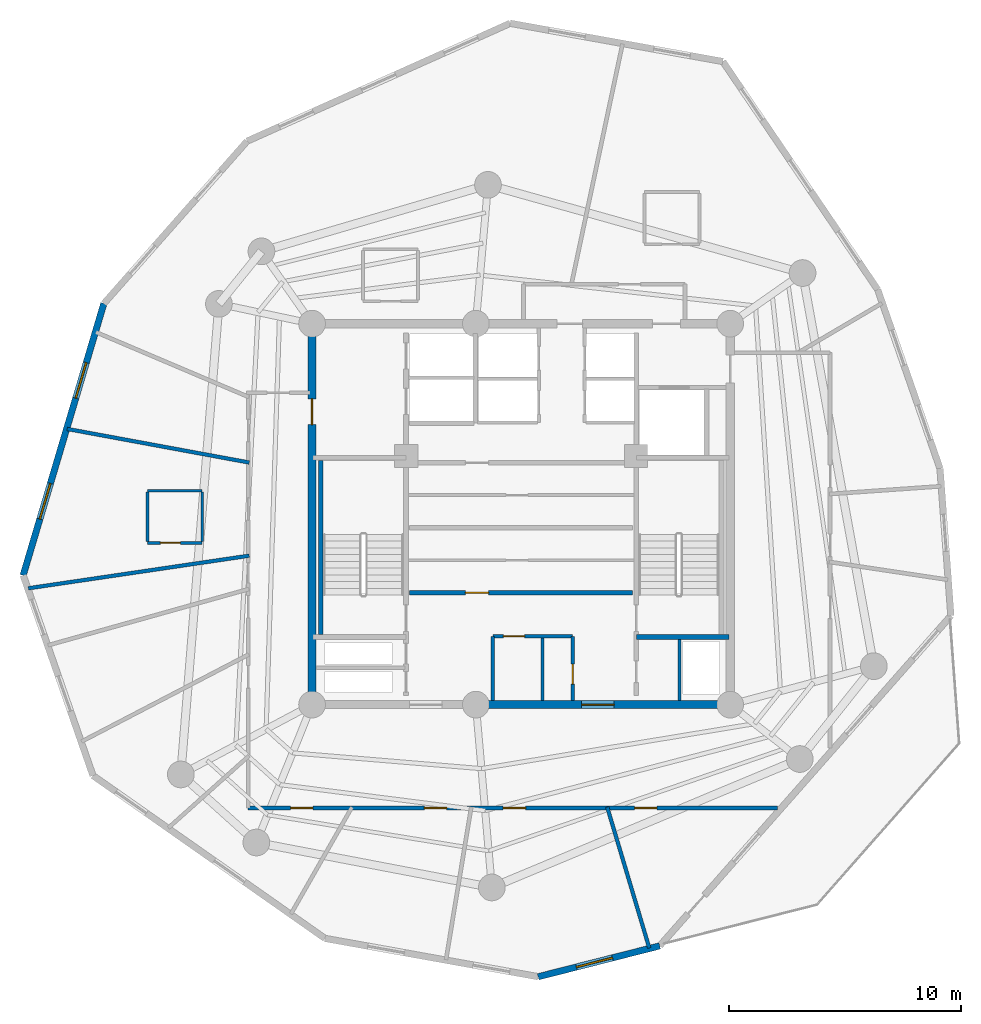
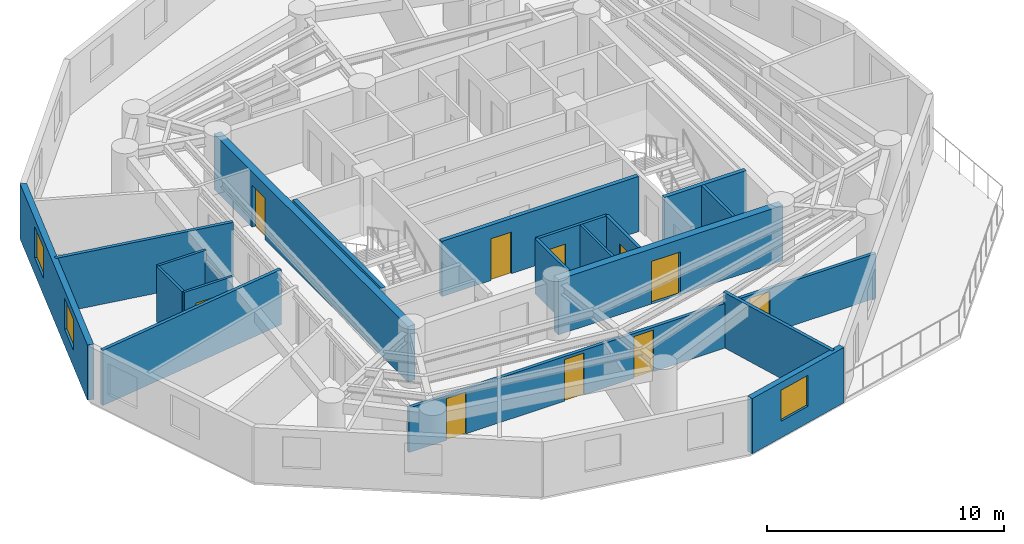
# One storey, part 3 of 7: 20 walls, 10 doors, 3 windows, 13 openings.
"""IFC4 building model written with IfcOpenShell, lengths in metres."""

from ifc_helpers import new_model, si_unit, direction, frame, frame_2d, origin, origin_with_axes, place, context, subcontext, project, spatial, rectangle, extrude, source, transform, mapped, material, layer, layer_set, type_object, element, fill, save


model = new_model("IFC4")

# Units and contexts
model_context = context("Model", 3, precision=1e-05, world=origin(), true_north=direction((0.0, 1.0)))
body_context = subcontext(model_context, "Body", "Model", "MODEL_VIEW")
ifc_project = project(units=[si_unit("LENGTHUNIT", "METRE"), si_unit("AREAUNIT", "SQUARE_METRE"), si_unit("VOLUMEUNIT", "CUBIC_METRE"), si_unit("PLANEANGLEUNIT", "RADIAN"), si_unit("MASSUNIT", "GRAM", prefix="KILO")], contexts=[model_context])

# Site, building, storey
site_placement = place(None, origin())
site = spatial("IfcSite", under=ifc_project, at=site_placement, CompositionType="ELEMENT")
building_placement = place(site_placement, origin())
building = spatial("IfcBuilding", under=site, at=building_placement, Name="Karkom Vertical University and Central Library", CompositionType="ELEMENT")
storey_placement = place(building_placement, frame((0.0, 0.0, 235.199951171875)))
storey = spatial("IfcBuildingStorey", under=building, at=storey_placement, Name="L69", CompositionType="ELEMENT", Elevation=235.199951171875)

# Wall, opening, window
ifc_material_1 = material(Name="Brick-faced precast concrete C45/55", Category="masonry")
ifc_layer_1 = layer(ifc_material_1, 0.280029296875)
ifc_layer_set_1 = layer_set([ifc_layer_1], Name="Brick-faced precast concrete C45/55")
wall_type_1 = type_object("IfcWallType", Name="ENV-WL-BRK-280", PredefinedType="SOLIDWALL", material=ifc_layer_set_1)
wall_1_placement = place(storey_placement, frame((29.231201171875, 6.584716796875, 0.0), z_axis=(0.0, 0.0, 1.0), x_axis=(0.969169811516, 0.246393742709, 0.0)))
wall_1 = element("IfcWall", 1, at=wall_1_placement, inside=storey, type_object=wall_type_1, Name="Level 69 Brick-Faced Precast Facade Wall 03", PredefinedType="SOLIDWALL", context=body_context, shape_type="SweptSolid", body=[
    extrude(rectangle(XDim=5.402099609375, YDim=0.280029296875, at=frame_2d((2.701171875, 0.0))), origin(), (0.0, 0.0, 1.0), 2.85009765625),
])
opening_1_placement = place(wall_1_placement, frame((1.700927734375, 0.0, 0.85009765625)))
opening_1 = element("IfcOpeningElement", 2, at=opening_1_placement, cuts=wall_1, Name="Opening WN-10", PredefinedType="OPENING", context=body_context, shape_type="SweptSolid", body=[
    extrude(rectangle(XDim=1.60009765625, YDim=1.60009765625, at=frame_2d((0.800048828125, 0.800048828125))), frame((0.0, 0.14990234375, 0.0), z_axis=(0.0, -1.0, 0.0), x_axis=(1.0, 0.0, 0.0)), (0.0, 0.0, 1.0), 0.300048828125),
])
ifc_material_2 = material(Name="Aluminium thermal-break frame with solar-control IGU", Category="aluminium")
window_type = type_object("IfcWindowType", Name="ENV-WIN-WN-10", PartitioningType="SINGLE_PANEL", PredefinedType="WINDOW", material=ifc_material_2)
shared_shape_1 = source(origin_with_axes(), body_context, "Body", "SweptSolid", [
    extrude(rectangle(XDim=1.60009765625, YDim=1.60009765625, at=frame_2d((0.800048828125, 0.800048828125))), frame((0.0, 0.030029296875, 0.0), z_axis=(0.0, -1.0, 0.0), x_axis=(1.0, 0.0, 0.0)), (0.0, 0.0, 1.0), 0.06005859375),
])
window_1_placement = place(opening_1_placement, origin())
window_1 = element("IfcWindow", 3, at=window_1_placement, inside=storey, type_object=window_type, Name="Level 69 Punched Window 3.1", OverallHeight=1.60009765625, OverallWidth=1.60009765625, PartitioningType="SINGLE_PANEL", PredefinedType="WINDOW", context=body_context, shape_type="MappedRepresentation", body=[
    mapped(shared_shape_1, transform((0.0, 0.0, 0.0), scale=1.0)),
])
fill(opening_1, window_1)

# Wall, openings, windows
wall_2_placement = place(storey_placement, frame((10.534912109375, 35.5693359375, 0.0), z_axis=(0.0, 0.0, 1.0), x_axis=(-0.284636486509, -0.958635525394, 0.0)))
wall_2 = element("IfcWall", 4, at=wall_2_placement, inside=storey, type_object=wall_type_1, Name="Level 69 Brick-Faced Precast Facade Wall 11", PredefinedType="SOLIDWALL", context=body_context, shape_type="SweptSolid", body=[
    extrude(rectangle(XDim=12.206298828125, YDim=0.280029296875, at=frame_2d((6.10302734375, 0.0))), origin(), (0.0, 0.0, 1.0), 2.85009765625),
])
opening_2_placement = place(wall_2_placement, frame((2.653076171875, 0.0, 0.85009765625)))
opening_2 = element("IfcOpeningElement", 5, at=opening_2_placement, cuts=wall_2, Name="Opening WN-10", PredefinedType="OPENING", context=body_context, shape_type="SweptSolid", body=[
    extrude(rectangle(XDim=1.60009765625, YDim=1.60009765625, at=frame_2d((0.800048828125, 0.800048828125))), frame((0.0, 0.14990234375, 0.0), z_axis=(0.0, -1.0, 0.0), x_axis=(1.0, 0.0, 0.0)), (0.0, 0.0, 1.0), 0.300048828125),
])
opening_3_placement = place(wall_2_placement, frame((8.084228515625, 0.0, 0.85009765625)))
opening_3 = element("IfcOpeningElement", 6, at=opening_3_placement, cuts=wall_2, Name="Opening WN-10", PredefinedType="OPENING", context=body_context, shape_type="SweptSolid", body=[
    extrude(rectangle(XDim=1.60009765625, YDim=1.60009765625, at=frame_2d((0.800048828125, 0.800048828125))), frame((0.0, 0.14990234375, 0.0), z_axis=(0.0, -1.0, 0.0), x_axis=(1.0, 0.0, 0.0)), (0.0, 0.0, 1.0), 0.300048828125),
])
window_2_placement = place(opening_2_placement, origin())
window_2 = element("IfcWindow", 7, at=window_2_placement, inside=storey, type_object=window_type, Name="Level 69 Punched Window 11.1", OverallHeight=1.60009765625, OverallWidth=1.60009765625, PartitioningType="SINGLE_PANEL", PredefinedType="WINDOW", context=body_context, shape_type="MappedRepresentation", body=[
    mapped(shared_shape_1, transform((0.0, 0.0, 0.0), scale=1.0)),
])
fill(opening_2, window_2)
window_3_placement = place(opening_3_placement, origin())
window_3 = element("IfcWindow", 8, at=window_3_placement, inside=storey, type_object=window_type, Name="Level 69 Punched Window 11.2", OverallHeight=1.60009765625, OverallWidth=1.60009765625, PartitioningType="SINGLE_PANEL", PredefinedType="WINDOW", context=body_context, shape_type="MappedRepresentation", body=[
    mapped(shared_shape_1, transform((0.0, 0.0, 0.0), scale=1.0)),
])
fill(opening_3, window_3)

# Wall, openings, doors
ifc_material_3 = material(Name="Insulated metal-stud drywall 160mm", Category="gypsum")
ifc_layer_2 = layer(ifc_material_3, 0.159912109375)
ifc_layer_set_2 = layer_set([ifc_layer_2], Name="Insulated metal-stud drywall 160mm")
wall_type_2 = type_object("IfcWallType", Name="INT-WL-COR-160", PredefinedType="PARTITIONING", material=ifc_layer_set_2)
wall_3_placement = place(storey_placement, frame((39.52978515625, 13.85009765625, 0.0), z_axis=(0.0, 0.0, 1.0), x_axis=(-1.0, 0.0, 0.0)))
wall_3 = element("IfcWall", 9, at=wall_3_placement, inside=storey, type_object=wall_type_2, Name="Level 69 Interior Partition Wall L69-CORW-CW-001", PredefinedType="PARTITIONING", context=body_context, shape_type="SweptSolid", body=[
    extrude(rectangle(XDim=22.77978515625, YDim=0.159912109375, at=frame_2d((11.389892578125, 0.0))), origin(), (0.0, 0.0, 1.0), 2.300048828125),
])
opening_4_placement = place(wall_3_placement, frame((19.995849609375, 0.0, 0.0)))
opening_4 = element("IfcOpeningElement", 10, at=opening_4_placement, cuts=wall_3, Name="Opening FD-RM2", PredefinedType="OPENING", context=body_context, shape_type="SweptSolid", body=[
    extrude(rectangle(XDim=0.9599609375, YDim=2.14990234375, at=frame_2d((0.47998046875, 1.074951171875))), frame((0.0, 0.08984375, 0.0), z_axis=(0.0, -1.0, 0.0), x_axis=(1.0, 0.0, 0.0)), (0.0, 0.0, 1.0), 0.179931640625),
])
opening_5_placement = place(wall_3_placement, frame((14.235595703125, 0.0, 0.0)))
opening_5 = element("IfcOpeningElement", 11, at=opening_5_placement, cuts=wall_3, Name="Opening FD-RM2", PredefinedType="OPENING", context=body_context, shape_type="SweptSolid", body=[
    extrude(rectangle(XDim=0.9599609375, YDim=2.14990234375, at=frame_2d((0.47998046875, 1.074951171875))), frame((0.0, 0.08984375, 0.0), z_axis=(0.0, -1.0, 0.0), x_axis=(1.0, 0.0, 0.0)), (0.0, 0.0, 1.0), 0.179931640625),
])
opening_6_placement = place(wall_3_placement, frame((10.8408203125, 0.0, 0.0)))
opening_6 = element("IfcOpeningElement", 12, at=opening_6_placement, cuts=wall_3, Name="Opening FD-RM2", PredefinedType="OPENING", context=body_context, shape_type="SweptSolid", body=[
    extrude(rectangle(XDim=0.9599609375, YDim=2.14990234375, at=frame_2d((0.47998046875, 1.074951171875))), frame((0.0, 0.08984375, 0.0), z_axis=(0.0, -1.0, 0.0), x_axis=(1.0, 0.0, 0.0)), (0.0, 0.0, 1.0), 0.179931640625),
])
opening_7_placement = place(wall_3_placement, frame((5.182861328125, 0.0, 0.0)))
opening_7 = element("IfcOpeningElement", 13, at=opening_7_placement, cuts=wall_3, Name="Opening FD-RM2", PredefinedType="OPENING", context=body_context, shape_type="SweptSolid", body=[
    extrude(rectangle(XDim=0.9599609375, YDim=2.14990234375, at=frame_2d((0.47998046875, 1.074951171875))), frame((0.0, 0.08984375, 0.0), z_axis=(0.0, -1.0, 0.0), x_axis=(1.0, 0.0, 0.0)), (0.0, 0.0, 1.0), 0.179931640625),
])
ifc_material_4 = material(Name="Fire-rated oak veneer door", Category="wood")
door_type_1 = type_object("IfcDoorType", Name="INT-DR-FRM2", OperationType="NOTDEFINED", PredefinedType="DOOR", material=ifc_material_4)
shared_shape_2 = source(origin_with_axes(), body_context, "Body", "SweptSolid", [
    extrude(rectangle(XDim=0.9599609375, YDim=2.14990234375, at=frame_2d((0.47998046875, 1.074951171875))), frame((0.0, 0.02490234375, 0.0), z_axis=(0.0, -1.0, 0.0), x_axis=(1.0, 0.0, 0.0)), (0.0, 0.0, 1.0), 0.050048828125),
])
door_1_placement = place(opening_4_placement, origin())
door_1 = element("IfcDoor", 14, at=door_1_placement, inside=storey, type_object=door_type_1, Name="Level 69 Room Entry Door 303", OperationType="SINGLE_SWING_LEFT", OverallHeight=2.14990234375, OverallWidth=0.9599609375, PredefinedType="DOOR", context=body_context, shape_type="MappedRepresentation", body=[
    mapped(shared_shape_2, transform((0.0, 0.0, 0.0), scale=1.0)),
])
fill(opening_4, door_1)
door_2_placement = place(opening_5_placement, origin())
door_2 = element("IfcDoor", 15, at=door_2_placement, inside=storey, type_object=door_type_1, Name="Level 69 Room Entry Door 304", OperationType="SINGLE_SWING_RIGHT", OverallHeight=2.14990234375, OverallWidth=0.9599609375, PredefinedType="DOOR", context=body_context, shape_type="MappedRepresentation", body=[
    mapped(shared_shape_2, transform((0.0, 0.0, 0.0), scale=1.0)),
])
fill(opening_5, door_2)
door_3_placement = place(opening_6_placement, origin())
door_3 = element("IfcDoor", 16, at=door_3_placement, inside=storey, type_object=door_type_1, Name="Level 69 Room Entry Door 305", OperationType="SINGLE_SWING_LEFT", OverallHeight=2.14990234375, OverallWidth=0.9599609375, PredefinedType="DOOR", context=body_context, shape_type="MappedRepresentation", body=[
    mapped(shared_shape_2, transform((0.0, 0.0, 0.0), scale=1.0)),
])
fill(opening_6, door_3)
door_4_placement = place(opening_7_placement, origin())
door_4 = element("IfcDoor", 17, at=door_4_placement, inside=storey, type_object=door_type_1, Name="Level 69 Room Entry Door 306", OperationType="SINGLE_SWING_RIGHT", OverallHeight=2.14990234375, OverallWidth=0.9599609375, PredefinedType="DOOR", context=body_context, shape_type="MappedRepresentation", body=[
    mapped(shared_shape_2, transform((0.0, 0.0, 0.0), scale=1.0)),
])
fill(opening_7, door_4)

# Walls
wall_4_placement = place(storey_placement, frame((7.282958984375, 23.30908203125, 0.0), z_axis=(0.0, 0.0, 1.0), x_axis=(0.989291084864, 0.145955984492, 0.0)))
element("IfcWall", 18, at=wall_4_placement, inside=storey, type_object=wall_type_2, Name="Level 69 Interior Partition Wall L69-PW-002", PredefinedType="PARTITIONING", context=body_context, shape_type="SweptSolid", body=[
    extrude(rectangle(XDim=9.61474609375, YDim=0.159912109375, at=frame_2d((4.807373046875, 0.0))), origin(), (0.0, 0.0, 1.0), 2.85009765625),
])
wall_5_placement = place(storey_placement, frame((16.794189453125, 28.72216796875, 0.0), z_axis=(0.0, 0.0, 1.0), x_axis=(-0.983386471677, 0.181524233432, 0.0)))
element("IfcWall", 19, at=wall_5_placement, inside=storey, type_object=wall_type_2, Name="Level 69 Interior Partition Wall L69-PW-013", PredefinedType="PARTITIONING", context=body_context, shape_type="SweptSolid", body=[
    extrude(rectangle(XDim=7.96875, YDim=0.159912109375, at=frame_2d((3.984375, 0.0))), origin(), (0.0, 0.0, 1.0), 2.85009765625),
])
wall_6_placement = place(storey_placement, frame((32.20361328125, 13.89306640625, 0.0), z_axis=(0.0, 0.0, 1.0), x_axis=(0.286236858114, -0.958158891341, 0.0)))
element("IfcWall", 20, at=wall_6_placement, inside=storey, type_object=wall_type_2, Name="Level 69 Interior Partition Wall L69-PW-007", PredefinedType="PARTITIONING", context=body_context, shape_type="SweptSolid", body=[
    extrude(rectangle(XDim=6.331298828125, YDim=0.159912109375, at=frame_2d((3.16552734375, 0.0))), origin(), (0.0, 0.0, 1.0), 2.85009765625),
])
ifc_material_5 = material(Name="Moisture-resistant drywall 120mm", Category="gypsum")
ifc_layer_3 = layer(ifc_material_5, 0.1201171875)
ifc_layer_set_3 = layer_set([ifc_layer_3], Name="Moisture-resistant drywall 120mm")
wall_type_3 = type_object("IfcWallType", Name="INT-WL-INT-120", PredefinedType="PARTITIONING", material=ifc_layer_set_3)
wall_7_placement = place(storey_placement, frame((29.419921875, 18.48193359375, 0.0), z_axis=(0.0, 0.0, 1.0), x_axis=(0.0, 1.0, 0.0)))
element("IfcWall", 21, at=wall_7_placement, inside=storey, type_object=wall_type_3, Name="Level 69 Interior Partition Wall L69-CW-K3-DIV", PredefinedType="PARTITIONING", context=body_context, shape_type="SweptSolid", body=[
    extrude(rectangle(XDim=2.687255859375, YDim=0.1201171875, at=frame_2d((1.34375, 0.0))), origin(), (0.0, 0.0, 1.0), 2.85009765625),
])

# Wall, opening, door
ifc_layer_4 = layer(ifc_material_5, 0.1201171875)
ifc_layer_set_4 = layer_set([ifc_layer_4], Name="Moisture-resistant drywall 120mm")
wall_type_4 = type_object("IfcWallType", Name="INT-WL-INT-120F", PredefinedType="PARTITIONING", material=ifc_layer_set_4)
wall_8_placement = place(storey_placement, frame((12.410888671875, 25.263916015625, 0.0), z_axis=(0.0, 0.0, 1.0), x_axis=(1.0, 0.0, 0.0)))
wall_8 = element("IfcWall", 22, at=wall_8_placement, inside=storey, type_object=wall_type_4, Name="Level 69 Interior Partition Wall L69-ENS-53-S", PredefinedType="PARTITIONING", context=body_context, shape_type="SweptSolid", body=[
    extrude(rectangle(XDim=2.360107421875, YDim=0.1201171875, at=frame_2d((1.18017578125, 0.0))), origin(), (0.0, 0.0, 1.0), 2.85009765625),
])
opening_8_placement = place(wall_8_placement, frame((0.56005859375, 0.0, 0.0)))
opening_8 = element("IfcOpeningElement", 23, at=opening_8_placement, cuts=wall_8, Name="Opening D-BATH", PredefinedType="OPENING", context=body_context, shape_type="SweptSolid", body=[
    extrude(rectangle(XDim=0.860107421875, YDim=2.10009765625, at=frame_2d((0.43017578125, 1.050048828125))), frame((0.0, 0.070068359375, 0.0), z_axis=(0.0, -1.0, 0.0), x_axis=(1.0, 0.0, 0.0)), (0.0, 0.0, 1.0), 0.14013671875),
])
ifc_material_6 = material(Name="Moisture-resistant oak door", Category="wood")
door_type_2 = type_object("IfcDoorType", Name="INT-DR-BATH", OperationType="NOTDEFINED", PredefinedType="DOOR", material=ifc_material_6)
shared_shape_3 = source(origin_with_axes(), body_context, "Body", "SweptSolid", [
    extrude(rectangle(XDim=0.860107421875, YDim=2.10009765625, at=frame_2d((0.43017578125, 1.050048828125))), frame((0.0, 0.02490234375, 0.0), z_axis=(0.0, -1.0, 0.0), x_axis=(1.0, 0.0, 0.0)), (0.0, 0.0, 1.0), 0.050048828125),
])
door_5_placement = place(opening_8_placement, origin())
door_5 = element("IfcDoor", 24, at=door_5_placement, inside=storey, type_object=door_type_2, Name="Level 69 En-Suite Bathroom Door 53", OperationType="SINGLE_SWING_RIGHT", OverallHeight=2.10009765625, OverallWidth=0.860107421875, PredefinedType="DOOR", context=body_context, shape_type="MappedRepresentation", body=[
    mapped(shared_shape_3, transform((0.0, 0.0, 0.0), scale=1.0)),
])
fill(opening_8, door_5)

# Walls
wall_9_placement = place(storey_placement, frame((14.77099609375, 27.50390625, 0.0), z_axis=(0.0, 0.0, 1.0), x_axis=(-1.0, 0.0, 0.0)))
element("IfcWall", 25, at=wall_9_placement, inside=storey, type_object=wall_type_4, Name="Level 69 Interior Partition Wall L69-ENS-53-N", PredefinedType="PARTITIONING", context=body_context, shape_type="SweptSolid", body=[
    extrude(rectangle(XDim=2.360107421875, YDim=0.1201171875, at=frame_2d((1.18017578125, 0.0))), origin(), (0.0, 0.0, 1.0), 2.85009765625),
])
wall_10_placement = place(storey_placement, frame((14.77099609375, 25.31396484375, 0.0), z_axis=(0.0, 0.0, 1.0), x_axis=(0.0, 1.0, 0.0)))
element("IfcWall", 26, at=wall_10_placement, inside=storey, type_object=wall_type_4, Name="Level 69 Interior Partition Wall L69-ENS-53-E", PredefinedType="PARTITIONING", context=body_context, shape_type="SweptSolid", body=[
    extrude(rectangle(XDim=2.14013671875, YDim=0.1201171875, at=frame_2d((1.070068359375, 0.0))), origin(), (0.0, 0.0, 1.0), 2.300048828125),
])
wall_11_placement = place(storey_placement, frame((12.410888671875, 27.4541015625, 0.0), z_axis=(0.0, 0.0, 1.0), x_axis=(0.0, -1.0, 0.0)))
element("IfcWall", 27, at=wall_11_placement, inside=storey, type_object=wall_type_4, Name="Level 69 Interior Partition Wall L69-ENS-53-W", PredefinedType="PARTITIONING", context=body_context, shape_type="SweptSolid", body=[
    extrude(rectangle(XDim=2.14013671875, YDim=0.1201171875, at=frame_2d((1.070068359375, 0.0))), origin(), (0.0, 0.0, 1.0), 2.85009765625),
])

# Wall, opening, door
ifc_material_7 = material(Name="Metal-stud gypsum partition 140mm", Category="gypsum")
ifc_layer_5 = layer(ifc_material_7, 0.139892578125)
ifc_layer_set_5 = layer_set([ifc_layer_5], Name="Metal-stud gypsum partition 140mm")
wall_type_5 = type_object("IfcWallType", Name="INT-WL-SUB-140", PredefinedType="PARTITIONING", material=ifc_layer_set_5)
wall_12_placement = place(storey_placement, frame((27.280029296875, 21.239990234375, 0.0), z_axis=(0.0, 0.0, 1.0), x_axis=(1.0, 0.0, 0.0)))
wall_12 = element("IfcWall", 28, at=wall_12_placement, inside=storey, type_object=wall_type_5, Name="Level 69 Interior Partition Wall L69-CW-KBAY-N", PredefinedType="PARTITIONING", context=body_context, shape_type="SweptSolid", body=[
    extrude(rectangle(XDim=3.43994140625, YDim=0.139892578125, at=frame_2d((1.719970703125, 0.0))), origin(), (0.0, 0.0, 1.0), 2.85009765625),
])
opening_9_placement = place(wall_12_placement, frame((0.449951171875, 0.0, 0.0)))
opening_9 = element("IfcOpeningElement", 29, at=opening_9_placement, cuts=wall_12, Name="Opening D-SVC1", PredefinedType="OPENING", context=body_context, shape_type="SweptSolid", body=[
    extrude(rectangle(XDim=0.919921875, YDim=2.10009765625, at=frame_2d((0.4599609375, 1.050048828125))), frame((0.0, 0.080078125, 0.0), z_axis=(0.0, -1.0, 0.0), x_axis=(1.0, 0.0, 0.0)), (0.0, 0.0, 1.0), 0.159912109375),
])
ifc_material_8 = material(Name="Painted timber service door", Category="wood")
door_type_3 = type_object("IfcDoorType", Name="INT-DR-SVC1", OperationType="NOTDEFINED", PredefinedType="DOOR", material=ifc_material_8)
shared_shape_4 = source(origin_with_axes(), body_context, "Body", "SweptSolid", [
    extrude(rectangle(XDim=0.919921875, YDim=2.10009765625, at=frame_2d((0.4599609375, 1.050048828125))), frame((0.0, 0.02490234375, 0.0), z_axis=(0.0, -1.0, 0.0), x_axis=(1.0, 0.0, 0.0)), (0.0, 0.0, 1.0), 0.050048828125),
])
door_6_placement = place(opening_9_placement, origin())
door_6 = element("IfcDoor", 30, at=door_6_placement, inside=storey, type_object=door_type_3, Name="Level 69 Copy Room Door", OperationType="SINGLE_SWING_LEFT", OverallHeight=2.10009765625, OverallWidth=0.919921875, PredefinedType="DOOR", context=body_context, shape_type="MappedRepresentation", body=[
    mapped(shared_shape_4, transform((0.0, 0.0, 0.0), scale=1.0)),
])
fill(opening_9, door_6)

# Wall
wall_13_placement = place(storey_placement, frame((27.280029296875, 18.48193359375, 0.0), z_axis=(0.0, 0.0, 1.0), x_axis=(0.0, 1.0, 0.0)))
element("IfcWall", 31, at=wall_13_placement, inside=storey, type_object=wall_type_5, Name="Level 69 Interior Partition Wall L69-CW-KBAY-W", PredefinedType="PARTITIONING", context=body_context, shape_type="SweptSolid", body=[
    extrude(rectangle(XDim=2.758056640625, YDim=0.139892578125, at=frame_2d((1.37890625, 0.0))), origin(), (0.0, 0.0, 1.0), 2.85009765625),
])

# Wall, opening, door
wall_14_placement = place(storey_placement, frame((30.719970703125, 18.48193359375, 0.0), z_axis=(0.0, 0.0, 1.0), x_axis=(0.0, 1.0, 0.0)))
wall_14 = element("IfcWall", 32, at=wall_14_placement, inside=storey, type_object=wall_type_5, Name="Level 69 Interior Partition Wall L69-CW-KBAY-E", PredefinedType="PARTITIONING", context=body_context, shape_type="SweptSolid", body=[
    extrude(rectangle(XDim=2.758056640625, YDim=0.139892578125, at=frame_2d((1.37890625, 0.0))), origin(), (0.0, 0.0, 1.0), 2.85009765625),
])
opening_10_placement = place(wall_14_placement, frame((0.699951171875, 0.0, 0.0)))
opening_10 = element("IfcOpeningElement", 33, at=opening_10_placement, cuts=wall_14, Name="Opening D-BATH", PredefinedType="OPENING", context=body_context, shape_type="SweptSolid", body=[
    extrude(rectangle(XDim=0.860107421875, YDim=2.10009765625, at=frame_2d((0.43017578125, 1.050048828125))), frame((0.0, 0.080078125, 0.0), z_axis=(0.0, -1.0, 0.0), x_axis=(1.0, 0.0, 0.0)), (0.0, 0.0, 1.0), 0.159912109375),
])
door_7_placement = place(opening_10_placement, origin())
door_7 = element("IfcDoor", 34, at=door_7_placement, inside=storey, type_object=door_type_2, Name="Level 69 Janitor Door", OperationType="SINGLE_SWING_RIGHT", OverallHeight=2.10009765625, OverallWidth=0.860107421875, PredefinedType="DOOR", context=body_context, shape_type="MappedRepresentation", body=[
    mapped(shared_shape_3, transform((0.0, 0.0, 0.0), scale=1.0)),
])
fill(opening_10, door_7)

# Wall
ifc_layer_6 = layer(ifc_material_7, 0.139892578125)
ifc_layer_set_6 = layer_set([ifc_layer_6], Name="Metal-stud gypsum partition 140mm")
wall_type_6 = type_object("IfcWallType", Name="INT-WL-SUB-140H", PredefinedType="PARTITIONING", material=ifc_layer_set_6)
wall_15_placement = place(storey_placement, frame((35.320068359375, 18.48193359375, 0.0), z_axis=(0.0, 0.0, 1.0), x_axis=(0.0, 1.0, 0.0)))
element("IfcWall", 35, at=wall_15_placement, inside=storey, type_object=wall_type_6, Name="Level 69 Interior Partition Wall L69-CW-RIS-E", PredefinedType="PARTITIONING", context=body_context, shape_type="SweptSolid", body=[
    extrude(rectangle(XDim=2.629150390625, YDim=0.139892578125, at=frame_2d((1.314453125, 0.0))), origin(), (0.0, 0.0, 1.0), 2.85009765625),
])

# Wall, opening, door
ifc_material_9 = material(Name="Concrete C45/55", Category="concrete")
ifc_layer_7 = layer(ifc_material_9, 0.35009765625)
ifc_layer_set_7 = layer_set([ifc_layer_7], Name="Concrete C45/55")
wall_type_7 = type_object("IfcWallType", Name="STR-WL-CW-350", PredefinedType="SHEAR", material=ifc_layer_set_7)
wall_16_placement = place(storey_placement, frame((26.550048828125, 18.300048828125, 0.0), z_axis=(0.0, 0.0, 1.0), x_axis=(1.0, 0.0, 0.0)))
wall_16 = element("IfcWall", 36, at=wall_16_placement, inside=storey, type_object=wall_type_7, Name="Level 69 Central Core Shear Wall SW2", PredefinedType="SHEAR", context=body_context, shape_type="SweptSolid", body=[
    extrude(rectangle(XDim=10.949951171875, YDim=0.35009765625, at=frame_2d((5.47509765625, 0.0))), origin(), (0.0, 0.0, 1.0), 2.85009765625),
])
opening_11_placement = place(wall_16_placement, frame((4.550048828125, 0.0, 0.0)))
opening_11 = element("IfcOpeningElement", 37, at=opening_11_placement, cuts=wall_16, Name="Opening FD-CLB", PredefinedType="OPENING", context=body_context, shape_type="SweptSolid", body=[
    extrude(rectangle(XDim=1.39990234375, YDim=2.199951171875, at=frame_2d((0.699951171875, 1.10009765625))), frame((0.0, 0.18505859375, 0.0), z_axis=(0.0, -1.0, 0.0), x_axis=(1.0, 0.0, 0.0)), (0.0, 0.0, 1.0), 0.3701171875),
])
ifc_material_10 = material(Name="Painted steel fire door", Category="steel")
door_type_4 = type_object("IfcDoorType", Name="INT-DR-CLB", OperationType="DOUBLE_DOOR_SINGLE_SWING", PredefinedType="DOOR", material=ifc_material_10)
shared_shape_5 = source(origin_with_axes(), body_context, "Body", "SweptSolid", [
    extrude(rectangle(XDim=1.39990234375, YDim=2.199951171875, at=frame_2d((0.699951171875, 1.10009765625))), frame((0.0, 0.02490234375, 0.0), z_axis=(0.0, -1.0, 0.0), x_axis=(1.0, 0.0, 0.0)), (0.0, 0.0, 1.0), 0.050048828125),
])
door_8_placement = place(opening_11_placement, origin())
door_8 = element("IfcDoor", 38, at=door_8_placement, inside=storey, type_object=door_type_4, Name="Level 69 South Core Lobby East Exit Door", OperationType="DOUBLE_DOOR_SINGLE_SWING", OverallHeight=2.199951171875, OverallWidth=1.39990234375, PredefinedType="DOOR", context=body_context, shape_type="MappedRepresentation", body=[
    mapped(shared_shape_5, transform((0.0, 0.0, 0.0), scale=1.0)),
])
fill(opening_11, door_8)

wall_17_placement = place(storey_placement, frame((19.5, 34.699951171875, 0.0), z_axis=(0.0, 0.0, 1.0), x_axis=(0.0, -1.0, 0.0)))
wall_17 = element("IfcWall", 39, at=wall_17_placement, inside=storey, type_object=wall_type_7, Name="Level 69 Central Core Shear Wall WW", PredefinedType="SHEAR", context=body_context, shape_type="SweptSolid", body=[
    extrude(rectangle(XDim=16.39990234375, YDim=0.35009765625, at=frame_2d((8.199951171875, 0.0))), origin(), (0.0, 0.0, 1.0), 2.85009765625),
])
opening_12_placement = place(wall_17_placement, frame((3.239990234375, 0.0, 0.0)))
opening_12 = element("IfcOpeningElement", 40, at=opening_12_placement, cuts=wall_17, Name="Opening FD-FFL", PredefinedType="OPENING", context=body_context, shape_type="SweptSolid", body=[
    extrude(rectangle(XDim=1.10009765625, YDim=2.14990234375, at=frame_2d((0.550048828125, 1.074951171875))), frame((0.0, 0.18505859375, 0.0), z_axis=(0.0, -1.0, 0.0), x_axis=(1.0, 0.0, 0.0)), (0.0, 0.0, 1.0), 0.3701171875),
])
ifc_material_11 = material(Name="Painted steel smoke-seal fire door", Category="steel")
door_type_5 = type_object("IfcDoorType", Name="INT-DR-FFL", OperationType="NOTDEFINED", PredefinedType="DOOR", material=ifc_material_11)
shared_shape_6 = source(origin_with_axes(), body_context, "Body", "SweptSolid", [
    extrude(rectangle(XDim=1.10009765625, YDim=2.14990234375, at=frame_2d((0.550048828125, 1.074951171875))), frame((0.0, 0.02490234375, 0.0), z_axis=(0.0, -1.0, 0.0), x_axis=(1.0, 0.0, 0.0)), (0.0, 0.0, 1.0), 0.050048828125),
])
door_9_placement = place(opening_12_placement, origin())
door_9 = element("IfcDoor", 41, at=door_9_placement, inside=storey, type_object=door_type_5, Name="Level 69 West Corridor Firefighting Lobby Door", OperationType="SINGLE_SWING_LEFT", OverallHeight=2.14990234375, OverallWidth=1.10009765625, PredefinedType="DOOR", context=body_context, shape_type="MappedRepresentation", body=[
    mapped(shared_shape_6, transform((0.0, 0.0, 0.0), scale=1.0)),
])
fill(opening_12, door_9)

ifc_layer_8 = layer(ifc_material_9, 0.199951171875)
ifc_layer_set_8 = layer_set([ifc_layer_8], Name="Concrete C45/55")
wall_type_8 = type_object("IfcWallType", Name="STR-WL-ST-200", PredefinedType="SHEAR", material=ifc_layer_set_8)
wall_18_placement = place(storey_placement, frame((23.699951171875, 23.1201171875, 0.0), z_axis=(0.0, 0.0, 1.0), x_axis=(1.0, 0.0, 0.0)))
wall_18 = element("IfcWall", 42, at=wall_18_placement, inside=storey, type_object=wall_type_8, Name="Level 69 Core Shaft Wall L69-CW-B1-S", PredefinedType="SHEAR", context=body_context, shape_type="SweptSolid", body=[
    extrude(rectangle(XDim=9.60009765625, YDim=0.199951171875, at=frame_2d((4.800048828125, 0.0))), origin(), (0.0, 0.0, 1.0), 2.85009765625),
])
opening_13_placement = place(wall_18_placement, frame((2.39990234375, 0.0, 0.0)))
opening_13 = element("IfcOpeningElement", 43, at=opening_13_placement, cuts=wall_18, Name="Opening D-STR1", PredefinedType="OPENING", context=body_context, shape_type="SweptSolid", body=[
    extrude(rectangle(XDim=1.0, YDim=2.14990234375, at=frame_2d((0.5, 1.074951171875))), frame((0.0, 0.10986328125, 0.0), z_axis=(0.0, -1.0, 0.0), x_axis=(1.0, 0.0, 0.0)), (0.0, 0.0, 1.0), 0.219970703125),
])
ifc_material_12 = material(Name="Solid-core hardwood fire door", Category="wood")
door_type_6 = type_object("IfcDoorType", Name="INT-DR-STR1", OperationType="NOTDEFINED", PredefinedType="DOOR", material=ifc_material_12)
shared_shape_7 = source(origin_with_axes(), body_context, "Body", "SweptSolid", [
    extrude(rectangle(XDim=1.0, YDim=2.14990234375, at=frame_2d((0.5, 1.074951171875))), frame((0.0, 0.02490234375, 0.0), z_axis=(0.0, -1.0, 0.0), x_axis=(1.0, 0.0, 0.0)), (0.0, 0.0, 1.0), 0.050048828125),
])
door_10_placement = place(opening_13_placement, origin())
door_10 = element("IfcDoor", 44, at=door_10_placement, inside=storey, type_object=door_type_6, Name="Level 69 B1 Archive Strip Door", OperationType="SINGLE_SWING_LEFT", OverallHeight=2.14990234375, OverallWidth=1.0, PredefinedType="DOOR", context=body_context, shape_type="MappedRepresentation", body=[
    mapped(shared_shape_7, transform((0.0, 0.0, 0.0), scale=1.0)),
])
fill(opening_13, door_10)

# Walls
wall_19_placement = place(storey_placement, frame((19.875, 21.320068359375, 0.0), z_axis=(0.0, 0.0, 1.0), x_axis=(0.0, 1.0, 0.0)))
element("IfcWall", 45, at=wall_19_placement, inside=storey, type_object=wall_type_8, Name="Level 69 Core Shaft Wall L69-CW-ST1-W", PredefinedType="SHEAR", context=body_context, shape_type="SweptSolid", body=[
    extrude(rectangle(XDim=7.5, YDim=0.199951171875, at=frame_2d((3.75, 0.0))), origin(), (0.0, 0.0, 1.0), 2.85009765625),
])
wall_20_placement = place(storey_placement, frame((33.455078125, 21.215087890625, 0.0), z_axis=(0.0, 0.0, 1.0), x_axis=(1.0, 0.0, 0.0)))
element("IfcWall", 46, at=wall_20_placement, inside=storey, type_object=wall_type_8, Name="Level 69 Core Shaft Wall L69-CW-ST2-S", PredefinedType="SHEAR", context=body_context, shape_type="SweptSolid", body=[
    extrude(rectangle(XDim=3.994873046875, YDim=0.199951171875, at=frame_2d((1.99755859375, 0.0))), origin(), (0.0, 0.0, 1.0), 2.85009765625),
])

save(model, "model.ifc")
